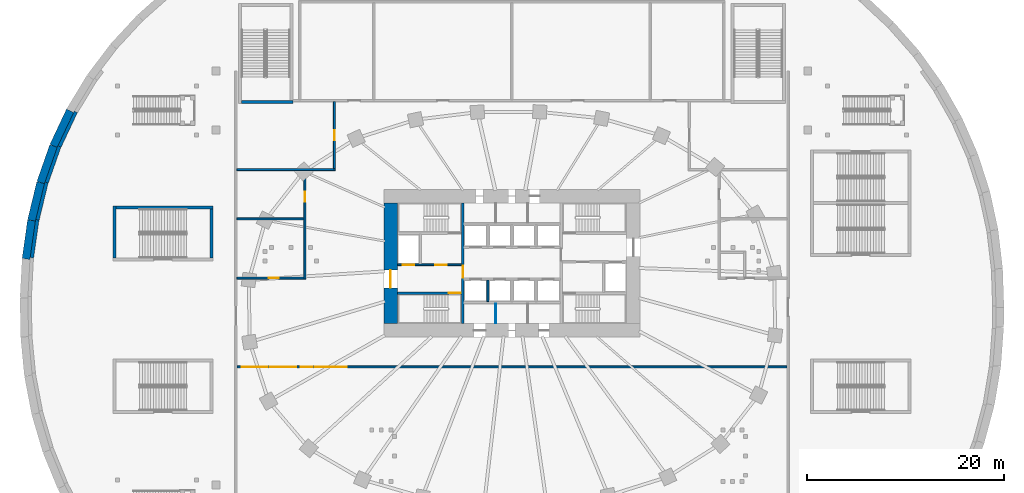
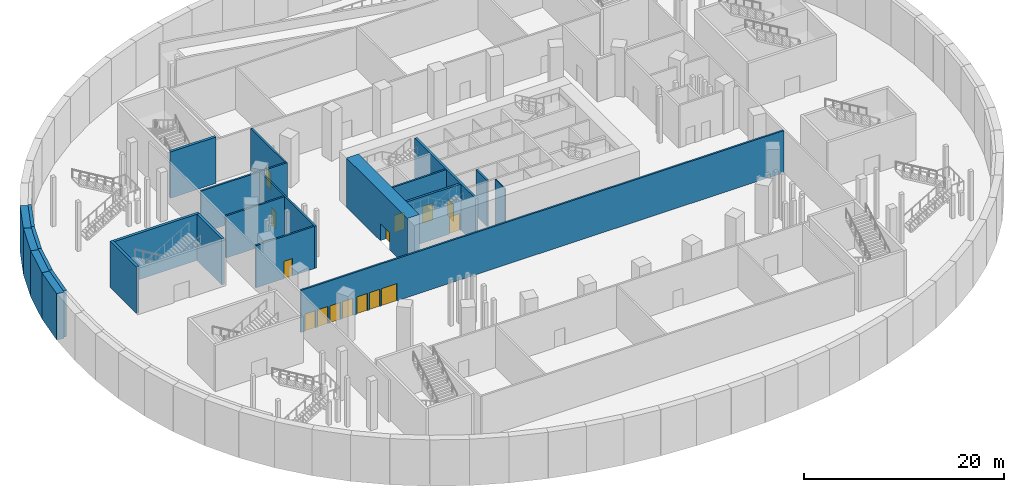
# One storey, part 5 of 19: 24 walls, 15 doors, 15 openings.
"""IFC4 building model written with IfcOpenShell, lengths in metres."""

from ifc_helpers import new_model, si_unit, direction, frame, frame_2d, origin, place, context, subcontext, project, spatial, rectangle, extrude, material, layer, layer_set, type_object, element, fill, save


model = new_model("IFC4")

# Units and contexts
model_context = context("Model", 3, precision=1e-05, world=origin(), true_north=direction((0.0, 1.0)))
body_context = subcontext(model_context, "Body", "Model", "MODEL_VIEW")
ifc_project = project(units=[si_unit("LENGTHUNIT", "METRE"), si_unit("AREAUNIT", "SQUARE_METRE"), si_unit("VOLUMEUNIT", "CUBIC_METRE"), si_unit("PLANEANGLEUNIT", "RADIAN"), si_unit("MASSUNIT", "GRAM", prefix="KILO")], contexts=[model_context])

# Site, building, storey
site_placement = place(None, origin())
site = spatial("IfcSite", under=ifc_project, at=site_placement, CompositionType="ELEMENT")
building_placement = place(site_placement, origin())
building = spatial("IfcBuilding", under=site, at=building_placement, Name="Rubra Terraces Tower", CompositionType="ELEMENT")
storey_placement = place(building_placement, frame((0.0, 0.0, -6.0)))
storey = spatial("IfcBuildingStorey", under=building, at=storey_placement, Name="B1", CompositionType="ELEMENT", Elevation=-6.0)

# Walls
ifc_material_1 = material(Name="Concrete C40", Category="concrete")
ifc_layer_1 = layer(ifc_material_1, 0.800048828125)
ifc_layer_set_1 = layer_set([ifc_layer_1], Name="Concrete C40")
wall_type_1 = type_object("IfcWallType", Name="BASEMENT WALL 800", PredefinedType="SOLIDWALL", material=ifc_layer_set_1)
wall_1_placement = place(storey_placement, frame((-49.283935546875, 4.93603515625, 0.0), z_axis=(0.0, 0.0, 1.0), x_axis=(0.14059001303, 0.990067900821, 0.0)))
element("IfcWall", 1, at=wall_1_placement, inside=storey, type_object=wall_type_1, Name="wall-B1-basement-040", PredefinedType="SOLIDWALL", context=body_context, shape_type="SweptSolid", body=[
    extrude(rectangle(XDim=3.947265625, YDim=0.800048828125, at=frame_2d((1.9736328125, 0.0))), origin(), (0.0, 0.0, 1.0), 5.64990234375),
])
wall_2_placement = place(storey_placement, frame((-48.72900390625, 8.843994140625, 0.0), z_axis=(0.0, 0.0, 1.0), x_axis=(0.235126783893, 0.971964708977, 0.0)))
element("IfcWall", 2, at=wall_2_placement, inside=storey, type_object=wall_type_1, Name="wall-B1-basement-041", PredefinedType="SOLIDWALL", context=body_context, shape_type="SweptSolid", body=[
    extrude(rectangle(XDim=3.942626953125, YDim=0.800048828125, at=frame_2d((1.97119140625, 0.0))), origin(), (0.0, 0.0, 1.0), 5.64990234375),
])
wall_3_placement = place(storey_placement, frame((-47.802001953125, 12.676025390625, 0.0), z_axis=(0.0, 0.0, 1.0), x_axis=(0.331378765585, 0.94349780801, 0.0)))
element("IfcWall", 3, at=wall_3_placement, inside=storey, type_object=wall_type_1, Name="wall-B1-basement-042", PredefinedType="SOLIDWALL", context=body_context, shape_type="SweptSolid", body=[
    extrude(rectangle(XDim=3.94384765625, YDim=0.800048828125, at=frame_2d((1.971923828125, 0.0))), origin(), (0.0, 0.0, 1.0), 5.64990234375),
])
wall_4_placement = place(storey_placement, frame((-46.4951171875, 16.39697265625, 0.0), z_axis=(0.0, 0.0, 1.0), x_axis=(0.425910354888, 0.904765367153, 0.0)))
element("IfcWall", 4, at=wall_4_placement, inside=storey, type_object=wall_type_1, Name="wall-B1-basement-043", PredefinedType="SOLIDWALL", context=body_context, shape_type="SweptSolid", body=[
    extrude(rectangle(XDim=3.942626953125, YDim=0.800048828125, at=frame_2d((1.97119140625, 0.0))), origin(), (0.0, 0.0, 1.0), 5.64990234375),
])

# Wall, opening, door
ifc_material_2 = material(Name="Concrete C70", Category="concrete")
ifc_layer_2 = layer(ifc_material_2, 1.39990234375)
ifc_layer_set_2 = layer_set([ifc_layer_2], Name="Concrete C70")
wall_type_2 = type_object("IfcWallType", Name="CORE WALL 1400 C70", PredefinedType="SHEAR", material=ifc_layer_set_2)
wall_5_placement = place(storey_placement, frame((-12.300048828125, -1.60009765625, 0.0), z_axis=(0.0, 0.0, 1.0), x_axis=(0.0, 1.0, 0.0)))
wall_5 = element("IfcWall", 5, at=wall_5_placement, inside=storey, type_object=wall_type_2, Name="CORE WALL W B1", PredefinedType="SHEAR", context=body_context, shape_type="SweptSolid", body=[
    extrude(rectangle(XDim=12.2001953125, YDim=1.39990234375, at=frame_2d((6.10009765625, 0.0))), origin(), (0.0, 0.0, 1.0), 6.0),
])
opening_1_placement = place(wall_5_placement, frame((3.60009765625, 0.0, 0.0)))
opening_1 = element("IfcOpeningElement", 6, at=opening_1_placement, cuts=wall_5, Name="Opening B1.C01", PredefinedType="OPENING", context=body_context, shape_type="SweptSolid", body=[
    extrude(rectangle(XDim=1.800048828125, YDim=2.10009765625, at=frame_2d((0.89990234375, 1.050048828125))), frame((0.0, 0.7099609375, 0.0), z_axis=(0.0, -1.0, 0.0), x_axis=(1.0, 0.0, 0.0)), (0.0, 0.0, 1.0), 1.419921875),
])
ifc_material_3 = material(Name="Painted steel", Category="steel")
door_type_1 = type_object("IfcDoorType", Name="Fire door 1800x2100 double", OperationType="NOTDEFINED", PredefinedType="DOOR", material=ifc_material_3)
door_1_placement = place(opening_1_placement, origin())
door_1 = element("IfcDoor", 7, at=door_1_placement, inside=storey, type_object=door_type_1, Name="Core entrance door FF1", OperationType="DOUBLE_DOOR_SINGLE_SWING", OverallHeight=2.10009765625, OverallWidth=1.800048828125, PredefinedType="DOOR", context=body_context, shape_type="SweptSolid", body=[
    extrude(rectangle(XDim=1.800048828125, YDim=2.10009765625, at=frame_2d((0.89990234375, 1.050048828125))), frame((0.0, 0.02490234375, 0.0), z_axis=(0.0, -1.0, 0.0), x_axis=(1.0, 0.0, 0.0)), (0.0, 0.0, 1.0), 0.050048828125),
])
fill(opening_1, door_1)

# Wall, openings, doors
ifc_material_4 = material(Name="Concrete C30", Category="concrete")
ifc_layer_3 = layer(ifc_material_4, 0.199951171875)
ifc_layer_set_3 = layer_set([ifc_layer_3], Name="Concrete C30")
wall_type_3 = type_object("IfcWallType", Name="Core wall 200 concrete", PredefinedType="SOLIDWALL", material=ifc_layer_set_3)
wall_6_placement = place(storey_placement, frame((-11.60009765625, 4.35009765625, 0.0), z_axis=(0.0, 0.0, 1.0), x_axis=(1.0, 0.0, 0.0)))
wall_6 = element("IfcWall", 8, at=wall_6_placement, inside=storey, type_object=wall_type_3, Name="STAIR WALL B1", PredefinedType="SOLIDWALL", context=body_context, shape_type="SweptSolid", body=[
    extrude(rectangle(XDim=6.5, YDim=0.199951171875, at=frame_2d((3.25, 0.0))), origin(), (0.0, 0.0, 1.0), 5.64990234375),
])
opening_2_placement = place(wall_6_placement, frame((3.800048828125, 0.0, 0.0)))
opening_2 = element("IfcOpeningElement", 9, at=opening_2_placement, cuts=wall_6, Name="Opening B1.C05", PredefinedType="OPENING", context=body_context, shape_type="SweptSolid", body=[
    extrude(rectangle(XDim=1.199951171875, YDim=2.10009765625, at=frame_2d((0.60009765625, 1.050048828125))), frame((0.0, 0.10986328125, 0.0), z_axis=(0.0, -1.0, 0.0), x_axis=(1.0, 0.0, 0.0)), (0.0, 0.0, 1.0), 0.219970703125),
])
opening_3_placement = place(wall_6_placement, frame((0.5, 0.0, 0.0)))
opening_3 = element("IfcOpeningElement", 10, at=opening_3_placement, cuts=wall_6, Name="Opening B1.C11", PredefinedType="OPENING", context=body_context, shape_type="SweptSolid", body=[
    extrude(rectangle(XDim=1.199951171875, YDim=2.10009765625, at=frame_2d((0.60009765625, 1.050048828125))), frame((0.0, 0.10986328125, 0.0), z_axis=(0.0, -1.0, 0.0), x_axis=(1.0, 0.0, 0.0)), (0.0, 0.0, 1.0), 0.219970703125),
])
door_type_2 = type_object("IfcDoorType", Name="Fire door 1200x2100 single", OperationType="NOTDEFINED", PredefinedType="DOOR", material=ifc_material_3)
door_2_placement = place(opening_2_placement, origin())
door_2 = element("IfcDoor", 11, at=door_2_placement, inside=storey, type_object=door_type_2, Name="Stair vestibule door S2", OperationType="SINGLE_SWING_LEFT", OverallHeight=2.10009765625, OverallWidth=1.199951171875, PredefinedType="DOOR", context=body_context, shape_type="SweptSolid", body=[
    extrude(rectangle(XDim=1.199951171875, YDim=2.10009765625, at=frame_2d((0.60009765625, 1.050048828125))), frame((0.0, 0.02490234375, 0.0), z_axis=(0.0, -1.0, 0.0), x_axis=(1.0, 0.0, 0.0)), (0.0, 0.0, 1.0), 0.050048828125),
])
fill(opening_2, door_2)
ifc_material_5 = material(Name="Stainless steel", Category="steel")
door_type_3 = type_object("IfcDoorType", Name="Lift landing door 1200x2100", OperationType="NOTDEFINED", PredefinedType="DOOR", material=ifc_material_5)
door_3_placement = place(opening_3_placement, origin())
door_3 = element("IfcDoor", 12, at=door_3_placement, inside=storey, type_object=door_type_3, Name="Landing door FF1", OperationType="SLIDING_TO_RIGHT", OverallHeight=2.10009765625, OverallWidth=1.199951171875, PredefinedType="DOOR", context=body_context, shape_type="SweptSolid", body=[
    extrude(rectangle(XDim=1.199951171875, YDim=2.10009765625, at=frame_2d((0.60009765625, 1.050048828125))), frame((0.0, 0.02490234375, 0.0), z_axis=(0.0, -1.0, 0.0), x_axis=(1.0, 0.0, 0.0)), (0.0, 0.0, 1.0), 0.050048828125),
])
fill(opening_3, door_3)

# Wall
wall_7_placement = place(storey_placement, frame((-2.449951171875, 0.60009765625, 0.0), z_axis=(0.0, 0.0, 1.0), x_axis=(0.0, 1.0, 0.0)))
element("IfcWall", 13, at=wall_7_placement, inside=storey, type_object=wall_type_3, Name="LIFT SHAFT WALL B1", PredefinedType="SOLIDWALL", context=body_context, shape_type="SweptSolid", body=[
    extrude(rectangle(XDim=2.199951171875, YDim=0.199951171875, at=frame_2d((1.10009765625, 0.0))), origin(), (0.0, 0.0, 1.0), 5.64990234375),
])

# Wall, openings, doors
ifc_material_6 = material(Name="Blockwork", Category="masonry")
ifc_layer_4 = layer(ifc_material_6, 0.199951171875)
ifc_layer_set_4 = layer_set([ifc_layer_4], Name="Blockwork")
wall_type_4 = type_object("IfcWallType", Name="Corridor partition 200 blockwork", PredefinedType="PARTITIONING", material=ifc_layer_set_4)
wall_8_placement = place(storey_placement, frame((-27.89990234375, -6.0, 0.0), z_axis=(0.0, 0.0, 1.0), x_axis=(1.0, 0.0, 0.0)))
wall_8 = element("IfcWall", 14, at=wall_8_placement, inside=storey, type_object=wall_type_4, Name="Partition wall", PredefinedType="PARTITIONING", context=body_context, shape_type="SweptSolid", body=[
    extrude(rectangle(XDim=55.7998046875, YDim=0.199951171875, at=frame_2d((27.89990234375, 0.0))), origin(), (0.0, 0.0, 1.0), 5.14794921875),
])
opening_4_placement = place(wall_8_placement, frame((0.5, 0.0, 0.0)))
opening_4 = element("IfcOpeningElement", 15, at=opening_4_placement, cuts=wall_8, Name="Opening DB5", PredefinedType="OPENING", context=body_context, shape_type="SweptSolid", body=[
    extrude(rectangle(XDim=1.199951171875, YDim=2.10009765625, at=frame_2d((0.60009765625, 1.050048828125))), frame((0.0, 0.10986328125, 0.0), z_axis=(0.0, -1.0, 0.0), x_axis=(1.0, 0.0, 0.0)), (0.0, 0.0, 1.0), 0.219970703125),
])
opening_5_placement = place(wall_8_placement, frame((1.93994140625, 0.0, 0.0)))
opening_5 = element("IfcOpeningElement", 16, at=opening_5_placement, cuts=wall_8, Name="Opening DB5", PredefinedType="OPENING", context=body_context, shape_type="SweptSolid", body=[
    extrude(rectangle(XDim=1.199951171875, YDim=2.10009765625, at=frame_2d((0.60009765625, 1.050048828125))), frame((0.0, 0.10986328125, 0.0), z_axis=(0.0, -1.0, 0.0), x_axis=(1.0, 0.0, 0.0)), (0.0, 0.0, 1.0), 0.219970703125),
])
opening_6_placement = place(wall_8_placement, frame((3.3798828125, 0.0, 0.0)))
opening_6 = element("IfcOpeningElement", 17, at=opening_6_placement, cuts=wall_8, Name="Opening DB5", PredefinedType="OPENING", context=body_context, shape_type="SweptSolid", body=[
    extrude(rectangle(XDim=1.199951171875, YDim=2.10009765625, at=frame_2d((0.60009765625, 1.050048828125))), frame((0.0, 0.10986328125, 0.0), z_axis=(0.0, -1.0, 0.0), x_axis=(1.0, 0.0, 0.0)), (0.0, 0.0, 1.0), 0.219970703125),
])
opening_7_placement = place(wall_8_placement, frame((4.820068359375, 0.0, 0.0)))
opening_7 = element("IfcOpeningElement", 18, at=opening_7_placement, cuts=wall_8, Name="Opening DB5", PredefinedType="OPENING", context=body_context, shape_type="SweptSolid", body=[
    extrude(rectangle(XDim=1.199951171875, YDim=2.10009765625, at=frame_2d((0.60009765625, 1.050048828125))), frame((0.0, 0.10986328125, 0.0), z_axis=(0.0, -1.0, 0.0), x_axis=(1.0, 0.0, 0.0)), (0.0, 0.0, 1.0), 0.219970703125),
])
opening_8_placement = place(wall_8_placement, frame((6.5, 0.0, 0.0)))
opening_8 = element("IfcOpeningElement", 19, at=opening_8_placement, cuts=wall_8, Name="Opening DB5", PredefinedType="OPENING", context=body_context, shape_type="SweptSolid", body=[
    extrude(rectangle(XDim=1.199951171875, YDim=2.10009765625, at=frame_2d((0.60009765625, 1.050048828125))), frame((0.0, 0.10986328125, 0.0), z_axis=(0.0, -1.0, 0.0), x_axis=(1.0, 0.0, 0.0)), (0.0, 0.0, 1.0), 0.219970703125),
])
opening_9_placement = place(wall_8_placement, frame((7.93994140625, 0.0, 0.0)))
opening_9 = element("IfcOpeningElement", 20, at=opening_9_placement, cuts=wall_8, Name="Opening DB5", PredefinedType="OPENING", context=body_context, shape_type="SweptSolid", body=[
    extrude(rectangle(XDim=1.199951171875, YDim=2.10009765625, at=frame_2d((0.60009765625, 1.050048828125))), frame((0.0, 0.10986328125, 0.0), z_axis=(0.0, -1.0, 0.0), x_axis=(1.0, 0.0, 0.0)), (0.0, 0.0, 1.0), 0.219970703125),
])
opening_10_placement = place(wall_8_placement, frame((9.320068359375, 0.0, 0.0)))
opening_10 = element("IfcOpeningElement", 21, at=opening_10_placement, cuts=wall_8, Name="Opening DB3", PredefinedType="OPENING", context=body_context, shape_type="SweptSolid", body=[
    extrude(rectangle(XDim=1.800048828125, YDim=2.10009765625, at=frame_2d((0.89990234375, 1.050048828125))), frame((0.0, 0.10986328125, 0.0), z_axis=(0.0, -1.0, 0.0), x_axis=(1.0, 0.0, 0.0)), (0.0, 0.0, 1.0), 0.219970703125),
])
door_type_4 = type_object("IfcDoorType", Name="Door 1800x2100 double", OperationType="NOTDEFINED", PredefinedType="DOOR", material=ifc_material_3)
door_4_placement = place(opening_10_placement, origin())
door_4 = element("IfcDoor", 22, at=door_4_placement, inside=storey, type_object=door_type_4, Name="Door B1-27", OperationType="DOUBLE_DOOR_SINGLE_SWING", OverallHeight=2.10009765625, OverallWidth=1.800048828125, PredefinedType="DOOR", context=body_context, shape_type="SweptSolid", body=[
    extrude(rectangle(XDim=1.800048828125, YDim=2.10009765625, at=frame_2d((0.89990234375, 1.050048828125))), frame((0.0, 0.02490234375, 0.0), z_axis=(0.0, -1.0, 0.0), x_axis=(1.0, 0.0, 0.0)), (0.0, 0.0, 1.0), 0.050048828125),
])
fill(opening_10, door_4)
door_type_5 = type_object("IfcDoorType", Name="Fare gate 1200x2100", OperationType="NOTDEFINED", PredefinedType="GATE", material=ifc_material_5)
door_5_placement = place(opening_4_placement, origin())
door_5 = element("IfcDoor", 23, at=door_5_placement, inside=storey, type_object=door_type_5, Name="Fare gate B1-21", OperationType="SINGLE_SWING_LEFT", OverallHeight=2.10009765625, OverallWidth=1.199951171875, PredefinedType="GATE", context=body_context, shape_type="SweptSolid", body=[
    extrude(rectangle(XDim=1.199951171875, YDim=2.10009765625, at=frame_2d((0.60009765625, 1.050048828125))), frame((0.0, 0.02490234375, 0.0), z_axis=(0.0, -1.0, 0.0), x_axis=(1.0, 0.0, 0.0)), (0.0, 0.0, 1.0), 0.050048828125),
])
fill(opening_4, door_5)
door_6_placement = place(opening_5_placement, origin())
door_6 = element("IfcDoor", 24, at=door_6_placement, inside=storey, type_object=door_type_5, Name="Fare gate B1-22", OperationType="SINGLE_SWING_LEFT", OverallHeight=2.10009765625, OverallWidth=1.199951171875, PredefinedType="GATE", context=body_context, shape_type="SweptSolid", body=[
    extrude(rectangle(XDim=1.199951171875, YDim=2.10009765625, at=frame_2d((0.60009765625, 1.050048828125))), frame((0.0, 0.02490234375, 0.0), z_axis=(0.0, -1.0, 0.0), x_axis=(1.0, 0.0, 0.0)), (0.0, 0.0, 1.0), 0.050048828125),
])
fill(opening_5, door_6)
door_7_placement = place(opening_6_placement, origin())
door_7 = element("IfcDoor", 25, at=door_7_placement, inside=storey, type_object=door_type_5, Name="Fare gate B1-23", OperationType="SINGLE_SWING_LEFT", OverallHeight=2.10009765625, OverallWidth=1.199951171875, PredefinedType="GATE", context=body_context, shape_type="SweptSolid", body=[
    extrude(rectangle(XDim=1.199951171875, YDim=2.10009765625, at=frame_2d((0.60009765625, 1.050048828125))), frame((0.0, 0.02490234375, 0.0), z_axis=(0.0, -1.0, 0.0), x_axis=(1.0, 0.0, 0.0)), (0.0, 0.0, 1.0), 0.050048828125),
])
fill(opening_6, door_7)
door_8_placement = place(opening_7_placement, origin())
door_8 = element("IfcDoor", 26, at=door_8_placement, inside=storey, type_object=door_type_5, Name="Fare gate B1-24", OperationType="SINGLE_SWING_LEFT", OverallHeight=2.10009765625, OverallWidth=1.199951171875, PredefinedType="GATE", context=body_context, shape_type="SweptSolid", body=[
    extrude(rectangle(XDim=1.199951171875, YDim=2.10009765625, at=frame_2d((0.60009765625, 1.050048828125))), frame((0.0, 0.02490234375, 0.0), z_axis=(0.0, -1.0, 0.0), x_axis=(1.0, 0.0, 0.0)), (0.0, 0.0, 1.0), 0.050048828125),
])
fill(opening_7, door_8)
door_9_placement = place(opening_8_placement, origin())
door_9 = element("IfcDoor", 27, at=door_9_placement, inside=storey, type_object=door_type_5, Name="Fare gate B1-25", OperationType="SINGLE_SWING_LEFT", OverallHeight=2.10009765625, OverallWidth=1.199951171875, PredefinedType="GATE", context=body_context, shape_type="SweptSolid", body=[
    extrude(rectangle(XDim=1.199951171875, YDim=2.10009765625, at=frame_2d((0.60009765625, 1.050048828125))), frame((0.0, 0.02490234375, 0.0), z_axis=(0.0, -1.0, 0.0), x_axis=(1.0, 0.0, 0.0)), (0.0, 0.0, 1.0), 0.050048828125),
])
fill(opening_8, door_9)
door_10_placement = place(opening_9_placement, origin())
door_10 = element("IfcDoor", 28, at=door_10_placement, inside=storey, type_object=door_type_5, Name="Fare gate B1-26", OperationType="SINGLE_SWING_LEFT", OverallHeight=2.10009765625, OverallWidth=1.199951171875, PredefinedType="GATE", context=body_context, shape_type="SweptSolid", body=[
    extrude(rectangle(XDim=1.199951171875, YDim=2.10009765625, at=frame_2d((0.60009765625, 1.050048828125))), frame((0.0, 0.02490234375, 0.0), z_axis=(0.0, -1.0, 0.0), x_axis=(1.0, 0.0, 0.0)), (0.0, 0.0, 1.0), 0.050048828125),
])
fill(opening_9, door_10)

# Wall, opening, door
wall_9_placement = place(storey_placement, frame((-21.0, 2.89990234375, 0.0), z_axis=(0.0, 0.0, 1.0), x_axis=(0.0, 1.0, 0.0)))
wall_9 = element("IfcWall", 29, at=wall_9_placement, inside=storey, type_object=wall_type_4, Name="Partition wall", PredefinedType="PARTITIONING", context=body_context, shape_type="SweptSolid", body=[
    extrude(rectangle(XDim=11.0, YDim=0.199951171875, at=frame_2d((5.5, 0.0))), origin(), (0.0, 0.0, 1.0), 5.14794921875),
])
opening_11_placement = place(wall_9_placement, frame((7.85595703125, 0.0, 0.0)))
opening_11 = element("IfcOpeningElement", 30, at=opening_11_placement, cuts=wall_9, Name="Opening DB1", PredefinedType="OPENING", context=body_context, shape_type="SweptSolid", body=[
    extrude(rectangle(XDim=1.0, YDim=2.10009765625, at=frame_2d((0.5, 1.050048828125))), frame((0.0, 0.10986328125, 0.0), z_axis=(0.0, -1.0, 0.0), x_axis=(1.0, 0.0, 0.0)), (0.0, 0.0, 1.0), 0.219970703125),
])
ifc_material_7 = material(Name="Painted timber", Category="wood")
door_type_6 = type_object("IfcDoorType", Name="Door 1000x2100 single", OperationType="NOTDEFINED", PredefinedType="DOOR", material=ifc_material_7)
door_11_placement = place(opening_11_placement, origin())
door_11 = element("IfcDoor", 31, at=door_11_placement, inside=storey, type_object=door_type_6, Name="Door B1-09", OperationType="SINGLE_SWING_LEFT", OverallHeight=2.10009765625, OverallWidth=1.0, PredefinedType="DOOR", context=body_context, shape_type="SweptSolid", body=[
    extrude(rectangle(XDim=1.0, YDim=2.10009765625, at=frame_2d((0.5, 1.050048828125))), frame((0.0, 0.02490234375, 0.0), z_axis=(0.0, -1.0, 0.0), x_axis=(1.0, 0.0, 0.0)), (0.0, 0.0, 1.0), 0.050048828125),
])
fill(opening_11, door_11)

wall_10_placement = place(storey_placement, frame((-18.0, 20.89990234375, 0.0), z_axis=(0.0, 0.0, 1.0), x_axis=(0.0, -1.0, 0.0)))
wall_10 = element("IfcWall", 32, at=wall_10_placement, inside=storey, type_object=wall_type_4, Name="Partition wall", PredefinedType="PARTITIONING", context=body_context, shape_type="SweptSolid", body=[
    extrude(rectangle(XDim=6.7998046875, YDim=0.199951171875, at=frame_2d((3.39990234375, 0.0))), origin(), (0.0, 0.0, 1.0), 5.14794921875),
])
opening_12_placement = place(wall_10_placement, frame((2.89990234375, 0.0, 0.0)))
opening_12 = element("IfcOpeningElement", 33, at=opening_12_placement, cuts=wall_10, Name="Opening DB1", PredefinedType="OPENING", context=body_context, shape_type="SweptSolid", body=[
    extrude(rectangle(XDim=1.0, YDim=2.10009765625, at=frame_2d((0.5, 1.050048828125))), frame((0.0, 0.10986328125, 0.0), z_axis=(0.0, -1.0, 0.0), x_axis=(1.0, 0.0, 0.0)), (0.0, 0.0, 1.0), 0.219970703125),
])
door_12_placement = place(opening_12_placement, origin())
door_12 = element("IfcDoor", 34, at=door_12_placement, inside=storey, type_object=door_type_6, Name="Door B1-12", OperationType="SINGLE_SWING_LEFT", OverallHeight=2.10009765625, OverallWidth=1.0, PredefinedType="DOOR", context=body_context, shape_type="SweptSolid", body=[
    extrude(rectangle(XDim=1.0, YDim=2.10009765625, at=frame_2d((0.5, 1.050048828125))), frame((0.0, 0.02490234375, 0.0), z_axis=(0.0, -1.0, 0.0), x_axis=(1.0, 0.0, 0.0)), (0.0, 0.0, 1.0), 0.050048828125),
])
fill(opening_12, door_12)

wall_11_placement = place(storey_placement, frame((-27.89990234375, 3.0, 0.0), z_axis=(0.0, 0.0, 1.0), x_axis=(1.0, 0.0, 0.0)))
wall_11 = element("IfcWall", 35, at=wall_11_placement, inside=storey, type_object=wall_type_4, Name="Partition wall", PredefinedType="PARTITIONING", context=body_context, shape_type="SweptSolid", body=[
    extrude(rectangle(XDim=6.7998046875, YDim=0.199951171875, at=frame_2d((3.39990234375, 0.0))), origin(), (0.0, 0.0, 1.0), 5.14794921875),
])
opening_13_placement = place(wall_11_placement, frame((3.240966796875, 0.0, 0.0)))
opening_13 = element("IfcOpeningElement", 36, at=opening_13_placement, cuts=wall_11, Name="Opening DB1", PredefinedType="OPENING", context=body_context, shape_type="SweptSolid", body=[
    extrude(rectangle(XDim=1.0, YDim=2.10009765625, at=frame_2d((0.5, 1.050048828125))), frame((0.0, 0.10986328125, 0.0), z_axis=(0.0, -1.0, 0.0), x_axis=(1.0, 0.0, 0.0)), (0.0, 0.0, 1.0), 0.219970703125),
])
door_13_placement = place(opening_13_placement, origin())
door_13 = element("IfcDoor", 37, at=door_13_placement, inside=storey, type_object=door_type_6, Name="Door B1-14", OperationType="SINGLE_SWING_LEFT", OverallHeight=2.10009765625, OverallWidth=1.0, PredefinedType="DOOR", context=body_context, shape_type="SweptSolid", body=[
    extrude(rectangle(XDim=1.0, YDim=2.10009765625, at=frame_2d((0.5, 1.050048828125))), frame((0.0, 0.02490234375, 0.0), z_axis=(0.0, -1.0, 0.0), x_axis=(1.0, 0.0, 0.0)), (0.0, 0.0, 1.0), 0.050048828125),
])
fill(opening_13, door_13)

# Walls
ifc_material_8 = material(Name="Concrete C40/50", Category="concrete")
ifc_layer_5 = layer(ifc_material_8, 0.35009765625)
ifc_layer_set_5 = layer_set([ifc_layer_5], Name="Concrete C40/50")
wall_type_5 = type_object("IfcWallType", Name="Retaining liner wall 350 concrete", PredefinedType="SOLIDWALL", material=ifc_layer_set_5)
wall_12_placement = place(storey_placement, frame((-48.68603515625, 5.052978515625, 0.0), z_axis=(0.0, 0.0, 1.0), x_axis=(0.140762968097, 0.990043325725, 0.0)))
element("IfcWall", 38, at=wall_12_placement, inside=storey, type_object=wall_type_5, Name="Retaining liner wall", PredefinedType="SOLIDWALL", context=body_context, shape_type="SweptSolid", body=[
    extrude(rectangle(XDim=3.893798828125, YDim=0.35009765625, at=frame_2d((1.94677734375, 0.0))), origin(), (0.0, 0.0, 1.0), 5.64990234375),
])
wall_13_placement = place(storey_placement, frame((-48.1220703125, 8.905029296875, 0.0), z_axis=(0.0, 0.0, 1.0), x_axis=(0.234916825786, 0.972015475681, 0.0)))
element("IfcWall", 39, at=wall_13_placement, inside=storey, type_object=wall_type_5, Name="Retaining liner wall", PredefinedType="SOLIDWALL", context=body_context, shape_type="SweptSolid", body=[
    extrude(rectangle(XDim=3.886962890625, YDim=0.35009765625, at=frame_2d((1.943359375, 0.0))), origin(), (0.0, 0.0, 1.0), 5.64990234375),
])
wall_14_placement = place(storey_placement, frame((-47.19189453125, 12.677978515625, 0.0), z_axis=(0.0, 0.0, 1.0), x_axis=(0.331212367591, 0.943556234442, 0.0)))
element("IfcWall", 40, at=wall_14_placement, inside=storey, type_object=wall_type_5, Name="Retaining liner wall", PredefinedType="SOLIDWALL", context=body_context, shape_type="SweptSolid", body=[
    extrude(rectangle(XDim=3.88525390625, YDim=0.35009765625, at=frame_2d((1.942626953125, 0.0))), origin(), (0.0, 0.0, 1.0), 5.64990234375),
])
wall_15_placement = place(storey_placement, frame((-45.887939453125, 16.3369140625, 0.0), z_axis=(0.0, 0.0, 1.0), x_axis=(0.426169388498, 0.904643384051, 0.0)))
element("IfcWall", 41, at=wall_15_placement, inside=storey, type_object=wall_type_5, Name="Retaining liner wall", PredefinedType="SOLIDWALL", context=body_context, shape_type="SweptSolid", body=[
    extrude(rectangle(XDim=3.883544921875, YDim=0.35009765625, at=frame_2d((1.94189453125, 0.0))), origin(), (0.0, 0.0, 1.0), 5.64990234375),
])
ifc_layer_6 = layer(ifc_material_6, 0.199951171875)
ifc_layer_set_6 = layer_set([ifc_layer_6], Name="Blockwork")
wall_type_6 = type_object("IfcWallType", Name="Room partition 200 blockwork", PredefinedType="PARTITIONING", material=ifc_layer_set_6)
wall_16_placement = place(storey_placement, frame((-17.89990234375, 14.0, 0.0), z_axis=(0.0, 0.0, 1.0), x_axis=(-1.0, 0.0, 0.0)))
element("IfcWall", 42, at=wall_16_placement, inside=storey, type_object=wall_type_6, Name="Partition wall", PredefinedType="PARTITIONING", context=body_context, shape_type="SweptSolid", body=[
    extrude(rectangle(XDim=10.0, YDim=0.199951171875, at=frame_2d((5.0, 0.0))), origin(), (0.0, 0.0, 1.0), 5.134033203125),
])
wall_17_placement = place(storey_placement, frame((-27.89990234375, 9.0, 0.0), z_axis=(0.0, 0.0, 1.0), x_axis=(1.0, 0.0, 0.0)))
element("IfcWall", 43, at=wall_17_placement, inside=storey, type_object=wall_type_6, Name="Partition wall", PredefinedType="PARTITIONING", context=body_context, shape_type="SweptSolid", body=[
    extrude(rectangle(XDim=6.7998046875, YDim=0.199951171875, at=frame_2d((3.39990234375, 0.0))), origin(), (0.0, 0.0, 1.0), 5.134033203125),
])
ifc_layer_7 = layer(ifc_material_6, 0.10009765625)
ifc_layer_set_7 = layer_set([ifc_layer_7], Name="Blockwork")
wall_type_7 = type_object("IfcWallType", Name="Service partition 100 blockwork", PredefinedType="PARTITIONING", material=ifc_layer_set_7)
wall_18_placement = place(storey_placement, frame((-1.64990234375, -1.60009765625, 0.0), z_axis=(0.0, 0.0, 1.0), x_axis=(0.0, 1.0, 0.0)))
element("IfcWall", 44, at=wall_18_placement, inside=storey, type_object=wall_type_7, Name="SERVICE ROOM PARTITION B1", PredefinedType="PARTITIONING", context=body_context, shape_type="SweptSolid", body=[
    extrude(rectangle(XDim=2.0, YDim=0.10009765625, at=frame_2d((1.0, 0.0))), origin(), (0.0, 0.0, 1.0), 5.64990234375),
])

# Wall, opening, door
ifc_layer_8 = layer(ifc_material_1, 0.25)
ifc_layer_set_8 = layer_set([ifc_layer_8], Name="Concrete C40")
wall_type_8 = type_object("IfcWallType", Name="Stair enclosure wall 250 concrete", PredefinedType="SOLIDWALL", material=ifc_layer_set_8)
wall_19_placement = place(storey_placement, frame((-11.60009765625, 1.47509765625, 0.0), z_axis=(0.0, 0.0, 1.0), x_axis=(1.0, 0.0, 0.0)))
wall_19 = element("IfcWall", 45, at=wall_19_placement, inside=storey, type_object=wall_type_8, Name="STAIR WALL B1", PredefinedType="SOLIDWALL", context=body_context, shape_type="SweptSolid", body=[
    extrude(rectangle(XDim=6.5, YDim=0.25, at=frame_2d((3.25, 0.0))), origin(), (0.0, 0.0, 1.0), 5.64990234375),
])
opening_14_placement = place(wall_19_placement, frame((5.199951171875, 0.0, 0.0)))
opening_14 = element("IfcOpeningElement", 46, at=opening_14_placement, cuts=wall_19, Name="Opening B1.C07", PredefinedType="OPENING", context=body_context, shape_type="SweptSolid", body=[
    extrude(rectangle(XDim=1.199951171875, YDim=2.10009765625, at=frame_2d((0.60009765625, 1.050048828125))), frame((0.0, 0.135009765625, 0.0), z_axis=(0.0, -1.0, 0.0), x_axis=(1.0, 0.0, 0.0)), (0.0, 0.0, 1.0), 0.27001953125),
])
door_14_placement = place(opening_14_placement, origin())
door_14 = element("IfcDoor", 47, at=door_14_placement, inside=storey, type_object=door_type_2, Name="Stair door S1", OperationType="SINGLE_SWING_LEFT", OverallHeight=2.10009765625, OverallWidth=1.199951171875, PredefinedType="DOOR", context=body_context, shape_type="SweptSolid", body=[
    extrude(rectangle(XDim=1.199951171875, YDim=2.10009765625, at=frame_2d((0.60009765625, 1.050048828125))), frame((0.0, 0.02490234375, 0.0), z_axis=(0.0, -1.0, 0.0), x_axis=(1.0, 0.0, 0.0)), (0.0, 0.0, 1.0), 0.050048828125),
])
fill(opening_14, door_14)

wall_20_placement = place(storey_placement, frame((-4.97509765625, -1.60009765625, 0.0), z_axis=(0.0, 0.0, 1.0), x_axis=(0.0, 1.0, 0.0)))
wall_20 = element("IfcWall", 48, at=wall_20_placement, inside=storey, type_object=wall_type_8, Name="CORE LOBBY WALL B1", PredefinedType="SOLIDWALL", context=body_context, shape_type="SweptSolid", body=[
    extrude(rectangle(XDim=12.2001953125, YDim=0.25, at=frame_2d((6.10009765625, 0.0))), origin(), (0.0, 0.0, 1.0), 5.64990234375),
])
opening_15_placement = place(wall_20_placement, frame((4.64990234375, 0.0, 0.0)))
opening_15 = element("IfcOpeningElement", 49, at=opening_15_placement, cuts=wall_20, Name="Opening B1.C03", PredefinedType="OPENING", context=body_context, shape_type="SweptSolid", body=[
    extrude(rectangle(XDim=1.199951171875, YDim=2.10009765625, at=frame_2d((0.60009765625, 1.050048828125))), frame((0.0, 0.135009765625, 0.0), z_axis=(0.0, -1.0, 0.0), x_axis=(1.0, 0.0, 0.0)), (0.0, 0.0, 1.0), 0.27001953125),
])
door_15_placement = place(opening_15_placement, origin())
door_15 = element("IfcDoor", 50, at=door_15_placement, inside=storey, type_object=door_type_2, Name="Firefighting lobby door FF1", OperationType="SINGLE_SWING_LEFT", OverallHeight=2.10009765625, OverallWidth=1.199951171875, PredefinedType="DOOR", context=body_context, shape_type="SweptSolid", body=[
    extrude(rectangle(XDim=1.199951171875, YDim=2.10009765625, at=frame_2d((0.60009765625, 1.050048828125))), frame((0.0, 0.02490234375, 0.0), z_axis=(0.0, -1.0, 0.0), x_axis=(1.0, 0.0, 0.0)), (0.0, 0.0, 1.0), 0.050048828125),
])
fill(opening_15, door_15)

# Walls
ifc_layer_9 = layer(ifc_material_8, 0.300048828125)
ifc_layer_set_9 = layer_set([ifc_layer_9], Name="Concrete C40/50")
wall_type_9 = type_object("IfcWallType", Name="Stair shaft wall 300 concrete", PredefinedType="SOLIDWALL", material=ifc_layer_set_9)
for number, where, z_axis, x_axis, name in (
    (51, (-27.449951171875, 20.85009765625, 0.0), (0.0, 0.0, 1.0), (1.0, 0.0, 0.0), "Stair shaft wall"),
    (52, (-40.31005859375, 5.050048828125, 0.0), (0.0, 0.0, 1.0), (0.0, 1.0, 0.0), "Stair shaft wall"),
):
    element("IfcWall", number, at=place(storey_placement, frame(where, z_axis=z_axis, x_axis=x_axis)), inside=storey, type_object=wall_type_9, Name=name, PredefinedType="SOLIDWALL", context=body_context, shape_type="SweptSolid", body=[
        extrude(rectangle(XDim=5.25, YDim=0.300048828125, at=frame_2d((2.625, 0.0))), origin(), (0.0, 0.0, 1.0), 5.64990234375),
    ])
wall_21_placement = place(storey_placement, frame((-40.159912109375, 10.14990234375, 0.0), z_axis=(0.0, 0.0, 1.0), x_axis=(1.0, 0.0, 0.0)))
element("IfcWall", 53, at=wall_21_placement, inside=storey, type_object=wall_type_9, Name="Stair shaft wall", PredefinedType="SOLIDWALL", context=body_context, shape_type="SweptSolid", body=[
    extrude(rectangle(XDim=9.85986328125, YDim=0.300048828125, at=frame_2d((4.929931640625, 0.0))), origin(), (0.0, 0.0, 1.0), 5.64990234375),
])
wall_22_placement = place(storey_placement, frame((-30.449951171875, 10.0, 0.0), z_axis=(0.0, 0.0, 1.0), x_axis=(0.0, -1.0, 0.0)))
element("IfcWall", 54, at=wall_22_placement, inside=storey, type_object=wall_type_9, Name="Stair shaft wall", PredefinedType="SOLIDWALL", context=body_context, shape_type="SweptSolid", body=[
    extrude(rectangle(XDim=4.949951171875, YDim=0.300048828125, at=frame_2d((2.47509765625, 0.0))), origin(), (0.0, 0.0, 1.0), 5.64990234375),
])

save(model, "model.ifc")
